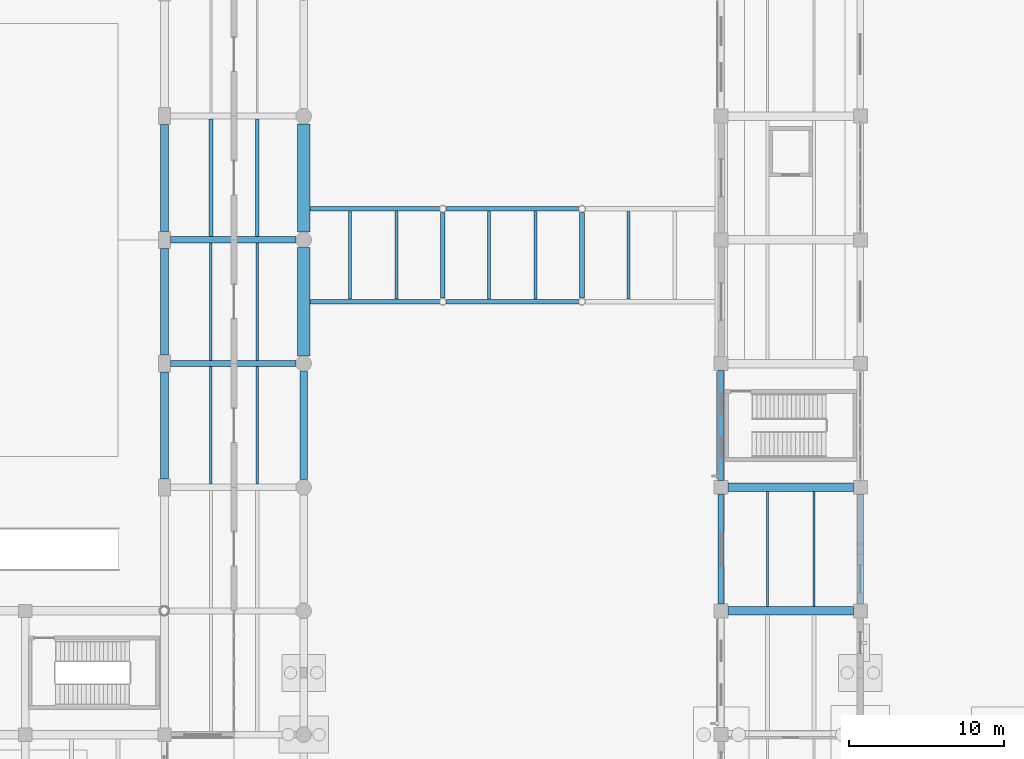
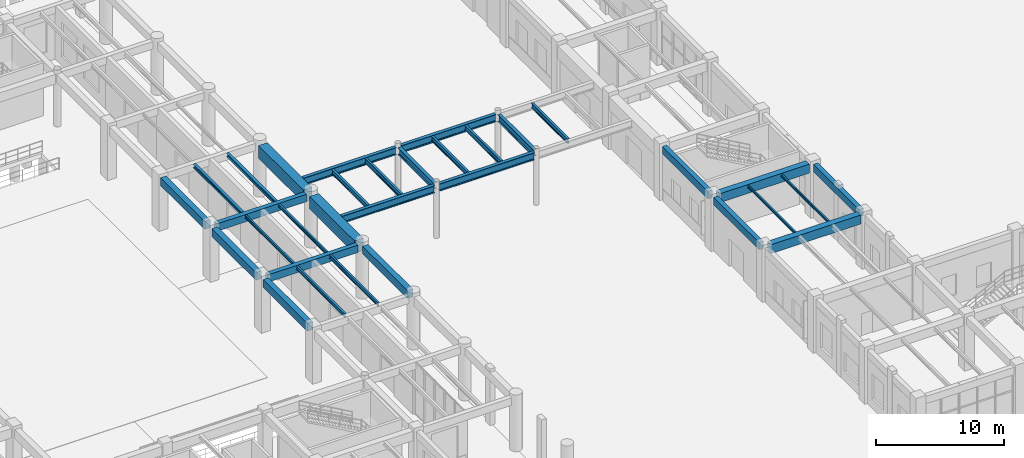
# One storey, part 26 of 121: 32 beams.
"""IFC4 building model written with IfcOpenShell, lengths in metres."""

from ifc_helpers import new_model, si_unit, derived_unit, direction, frame, origin, origin_2d, place, context, subcontext, project, spatial, rectangle, i_section, extrude, material, material_profile, profile_set, type_object, element, save


model = new_model("IFC4")

# Units and contexts
model_context = context("Model", 3, precision=1e-05, world=origin(), true_north=direction((0.0, 1.0)))
body_context = subcontext(model_context, "Body", "Model", "MODEL_VIEW")
ifc_project = project(units=[si_unit("LENGTHUNIT", "METRE"), si_unit("AREAUNIT", "SQUARE_METRE"), si_unit("VOLUMEUNIT", "CUBIC_METRE"), si_unit("PLANEANGLEUNIT", "RADIAN"), si_unit("MASSUNIT", "GRAM", prefix="KILO"), derived_unit("THERMALTRANSMITTANCEUNIT", [(si_unit("MASSUNIT", "GRAM", prefix="KILO"), 1), (si_unit("TIMEUNIT", "SECOND"), -3), (si_unit("THERMODYNAMICTEMPERATUREUNIT", "KELVIN"), -1)])], contexts=[model_context])

# Site, building, storey
site_placement = place(None, origin())
site = spatial("IfcSite", under=ifc_project, at=site_placement, CompositionType="ELEMENT")
building_placement = place(site_placement, origin())
building = spatial("IfcBuilding", under=site, at=building_placement, Name="Zhenchuan Archway Interchange", CompositionType="ELEMENT")
storey_placement = place(building_placement, origin())
storey = spatial("IfcBuildingStorey", under=building, at=storey_placement, Name="L00", CompositionType="ELEMENT", Elevation=0.0)

# Beams
ifc_material_1 = material(Name="Concrete C40", Category="concrete")
ifc_material_profile_1 = material_profile(ifc_material_1, rectangle(XDim=0.5, YDim=0.75, at=origin_2d()), Name="RC 500x750")
ifc_profile_set_1 = profile_set([ifc_material_profile_1], Name="Concrete C40")
beam_type_1 = type_object("IfcBeamType", Name="BM_RC_500x750", PredefinedType="BEAM", material=ifc_profile_set_1)
for number, where, z_axis, x_axis, name in (
    (1, (63.0, 40.550048828125, 4.705078125), (0.0, 1.0, 0.0), (-1.0, 0.0, 0.0), "Beam 8:F-G (L00)"),
    (2, (63.0, 48.550048828125, 4.705078125), (0.0, 1.0, 0.0), (-1.0, 0.0, 0.0), "Beam 8:G-H (L00)"),
    (3, (63.0, 56.550048828125, 4.705078125), (0.0, 1.0, 0.0), (-1.0, 0.0, 0.0), "Beam 8:H-J (L00)"),
):
    element("IfcBeam", number, at=place(storey_placement, frame(where, z_axis=z_axis, x_axis=x_axis)), inside=storey, type_object=beam_type_1, Name=name, PredefinedType="BEAM", context=body_context, shape_type="SweptSolid", body=[
        extrude(rectangle(XDim=0.5, YDim=0.75, at=origin_2d()), origin(), (0.0, 0.0, 1.0), 6.89990234375),
    ])
beam_placement = place(storey_placement, frame((72.0, 40.5, 4.705078125), z_axis=(0.0, 1.0, 0.0), x_axis=(-1.0, 0.0, 0.0)))
element("IfcBeam", 4, at=beam_placement, inside=storey, type_object=beam_type_1, Name="Beam 9:F-G (L00)", PredefinedType="BEAM", context=body_context, shape_type="SweptSolid", body=[
    extrude(rectangle(XDim=0.5, YDim=0.75, at=origin_2d()), origin(), (0.0, 0.0, 1.0), 7.0),
])
ifc_material_profile_2 = material_profile(ifc_material_1, rectangle(XDim=0.550048828125, YDim=0.85009765625, at=origin_2d()), Name="RC 550x850")
ifc_profile_set_2 = profile_set([ifc_material_profile_2], Name="Concrete C40")
beam_type_2 = type_object("IfcBeamType", Name="BM_RC_550x850", PredefinedType="BEAM", material=ifc_profile_set_2)
for number, where, z_axis, x_axis, name in (
    (5, (99.449951171875, 32.0, 4.655029296875), (1.0, 0.0, 0.0), (0.0, 1.0, 0.0), "Beam E:12-13 (L00)"),
    (6, (99.449951171875, 40.0, 4.655029296875), (1.0, 0.0, 0.0), (0.0, 1.0, 0.0), "Beam F:12-13 (L00)"),
):
    element("IfcBeam", number, at=place(storey_placement, frame(where, z_axis=z_axis, x_axis=x_axis)), inside=storey, type_object=beam_type_2, Name=name, PredefinedType="BEAM", context=body_context, shape_type="SweptSolid", body=[
        extrude(rectangle(XDim=0.550048828125, YDim=0.85009765625, at=origin_2d()), origin(), (0.0, 0.0, 1.0), 8.10009765625),
    ])
ifc_material_2 = material(Name="Concrete C50", Category="concrete")
ifc_material_profile_3 = material_profile(ifc_material_2, rectangle(XDim=0.800048828125, YDim=1.199951171875, at=origin_2d()), Name="RC 800x1200")
ifc_profile_set_3 = profile_set([ifc_material_profile_3], Name="Concrete C50")
beam_type_3 = type_object("IfcBeamType", Name="BM_RC_800x1200", PredefinedType="BEAM", material=ifc_profile_set_3)
for number, where, z_axis, x_axis, name in (
    (7, (72.0, 48.5, 4.419921875), (0.0, 1.0, 0.0), (-1.0, 0.0, 0.0), "Beam 9:G-H (L00)"),
    (8, (72.0, 56.5, 4.419921875), (0.0, 1.0, 0.0), (-1.0, 0.0, 0.0), "Beam 9:H-J (L00)"),
):
    element("IfcBeam", number, at=place(storey_placement, frame(where, z_axis=z_axis, x_axis=x_axis)), inside=storey, type_object=beam_type_3, Name=name, PredefinedType="BEAM", context=body_context, shape_type="SweptSolid", body=[
        extrude(rectangle(XDim=0.800048828125, YDim=1.199951171875, at=origin_2d()), origin(), (0.0, 0.0, 1.0), 7.0),
    ])
ifc_material_3 = material(Name="Steel Q355", Category="steel")
ifc_material_profile_4 = material_profile(ifc_material_3, i_section(OverallWidth=0.199951171875, OverallDepth=0.449951171875, WebThickness=0.009033203125, FlangeThickness=0.013916015625, FilletRadius=0.01806640625, at=origin_2d()), Name="HN 450x200")
ifc_profile_set_4 = profile_set([ifc_material_profile_4], Name="Steel Q355")
beam_type_4 = type_object("IfcBeamType", Name="BM_STL_HN450", PredefinedType="BEAM", material=ifc_profile_set_4)
for number, where, z_axis, x_axis, name in (
    (9, (75.0, 52.159912109375, 4.824951171875), (0.0, 1.0, 0.0), (-1.0, 0.0, 0.0), "Footbridge transverse deck beam W-1"),
    (10, (78.0, 52.159912109375, 4.824951171875), (0.0, 1.0, 0.0), (-1.0, 0.0, 0.0), "Footbridge transverse deck beam W-2"),
    (11, (84.0, 52.159912109375, 4.824951171875), (0.0, 1.0, 0.0), (-1.0, 0.0, 0.0), "Footbridge transverse deck beam M-1"),
    (12, (87.0, 52.159912109375, 4.824951171875), (0.0, 1.0, 0.0), (-1.0, 0.0, 0.0), "Footbridge transverse deck beam M-2"),
    (13, (93.0, 52.159912109375, 4.824951171875), (0.0, 1.0, 0.0), (-1.0, 0.0, 0.0), "Footbridge transverse deck beam E-1"),
):
    element("IfcBeam", number, at=place(storey_placement, frame(where, z_axis=z_axis, x_axis=x_axis)), inside=storey, type_object=beam_type_4, Name=name, PredefinedType="BEAM", context=body_context, shape_type="SweptSolid", body=[
        extrude(i_section(OverallWidth=0.199951171875, OverallDepth=0.449951171875, WebThickness=0.009033203125, FlangeThickness=0.013916015625, FilletRadius=0.01806640625, at=origin_2d()), origin(), (0.0, 0.0, 1.0), 5.68017578125),
    ])
ifc_material_4 = material(Name="Steel Q390", Category="steel")
ifc_material_profile_5 = material_profile(ifc_material_4, i_section(OverallWidth=0.300048828125, OverallDepth=0.64990234375, WebThickness=0.012939453125, FlangeThickness=0.02392578125, FilletRadius=0.02392578125, at=origin_2d()), Name="HN 650x300")
ifc_profile_set_5 = profile_set([ifc_material_profile_5], Name="Steel Q390")
beam_type_5 = type_object("IfcBeamType", Name="BM_STL_HN650W", PredefinedType="BEAM", material=ifc_profile_set_5)
for number, where, z_axis, x_axis, name in (
    (14, (81.0, 52.22998046875, 4.72509765625), (0.0, 1.0, 0.0), (-1.0, 0.0, 0.0), "Footbridge pier cap beam M1 (L00)"),
    (15, (90.0, 52.22998046875, 4.72509765625), (0.0, 1.0, 0.0), (-1.0, 0.0, 0.0), "Footbridge pier cap beam M2 (L00)"),
):
    element("IfcBeam", number, at=place(storey_placement, frame(where, z_axis=z_axis, x_axis=x_axis)), inside=storey, type_object=beam_type_5, Name=name, PredefinedType="BEAM", context=body_context, shape_type="SweptSolid", body=[
        extrude(i_section(OverallWidth=0.300048828125, OverallDepth=0.64990234375, WebThickness=0.012939453125, FlangeThickness=0.02392578125, FilletRadius=0.02392578125, at=origin_2d()), origin(), (0.0, 0.0, 1.0), 5.5400390625),
    ])
ifc_material_profile_6 = material_profile(ifc_material_4, i_section(OverallWidth=0.300048828125, OverallDepth=0.699951171875, WebThickness=0.012939453125, FlangeThickness=0.02392578125, FilletRadius=0.02392578125, at=origin_2d()), Name="HN 700x300")
ifc_profile_set_6 = profile_set([ifc_material_profile_6], Name="Steel Q390")
beam_type_6 = type_object("IfcBeamType", Name="BM_STL_HN700", PredefinedType="BEAM", material=ifc_profile_set_6)
for number, where, z_axis, x_axis, name in (
    (16, (72.39990234375, 52.0, 4.699951171875), (1.0, 0.0, 0.0), (0.0, 1.0, 0.0), "Footbridge primary deck girder W-S (L00)"),
    (17, (72.39990234375, 58.0, 4.699951171875), (1.0, 0.0, 0.0), (0.0, 1.0, 0.0), "Footbridge primary deck girder W-N (L00)"),
):
    element("IfcBeam", number, at=place(storey_placement, frame(where, z_axis=z_axis, x_axis=x_axis)), inside=storey, type_object=beam_type_6, Name=name, PredefinedType="BEAM", context=body_context, shape_type="SweptSolid", body=[
        extrude(i_section(OverallWidth=0.300048828125, OverallDepth=0.699951171875, WebThickness=0.012939453125, FlangeThickness=0.02392578125, FilletRadius=0.02392578125, at=origin_2d()), origin(), (0.0, 0.0, 1.0), 8.37158203125),
    ])
for number, where, z_axis, x_axis, name in (
    (18, (81.228515625, 52.0, 4.699951171875), (1.0, 0.0, 0.0), (0.0, 1.0, 0.0), "Footbridge primary deck girder M-S (L00)"),
    (19, (81.228515625, 58.0, 4.699951171875), (1.0, 0.0, 0.0), (0.0, 1.0, 0.0), "Footbridge primary deck girder M-N (L00)"),
):
    element("IfcBeam", number, at=place(storey_placement, frame(where, z_axis=z_axis, x_axis=x_axis)), inside=storey, type_object=beam_type_6, Name=name, PredefinedType="BEAM", context=body_context, shape_type="SweptSolid", body=[
        extrude(i_section(OverallWidth=0.300048828125, OverallDepth=0.699951171875, WebThickness=0.012939453125, FlangeThickness=0.02392578125, FilletRadius=0.02392578125, at=origin_2d()), origin(), (0.0, 0.0, 1.0), 8.54296875),
    ])
ifc_material_profile_7 = material_profile(ifc_material_3, i_section(OverallWidth=0.25, OverallDepth=0.340087890625, WebThickness=0.009033203125, FlangeThickness=0.013916015625, FilletRadius=0.01806640625, at=origin_2d()), Name="HM 340x250")
ifc_profile_set_7 = profile_set([ifc_material_profile_7], Name="Steel Q355")
beam_type_7 = type_object("IfcBeamType", Name="JST_STL_HM340", PredefinedType="JOIST", material=ifc_profile_set_7)
for number, where, z_axis, x_axis, name in (
    (20, (66.0, 56.199951171875, 4.909912109375), (0.0, 1.0, 0.0), (-1.0, 0.0, 0.0), "Secondary joist 8-9/H-J #1 (L00)"),
    (21, (69.0, 56.199951171875, 4.909912109375), (0.0, 1.0, 0.0), (-1.0, 0.0, 0.0), "Secondary joist 8-9/H-J #2 (L00)"),
):
    element("IfcBeam", number, at=place(storey_placement, frame(where, z_axis=z_axis, x_axis=x_axis)), inside=storey, type_object=beam_type_7, Name=name, PredefinedType="JOIST", context=body_context, shape_type="SweptSolid", body=[
        extrude(i_section(OverallWidth=0.25, OverallDepth=0.340087890625, WebThickness=0.009033203125, FlangeThickness=0.013916015625, FilletRadius=0.01806640625, at=origin_2d()), origin(), (0.0, 0.0, 1.0), 7.60009765625),
    ])
ifc_material_profile_8 = material_profile(ifc_material_3, i_section(OverallWidth=0.125, OverallDepth=0.25, WebThickness=0.006103515625, FlangeThickness=0.009033203125, FilletRadius=0.011962890625, at=origin_2d()), Name="HN 250x125")
ifc_profile_set_8 = profile_set([ifc_material_profile_8], Name="Steel Q355")
beam_type_8 = type_object("IfcBeamType", Name="JST_STL_HN250", PredefinedType="JOIST", material=ifc_profile_set_8)
for number, where, z_axis, x_axis, name in (
    (22, (102.0, 32.27490234375, 4.955078125), (0.0, 1.0, 0.0), (-1.0, 0.0, 0.0), "Secondary joist 12-13/E-F #1 (L00)"),
    (23, (105.0, 32.27490234375, 4.955078125), (0.0, 1.0, 0.0), (-1.0, 0.0, 0.0), "Secondary joist 12-13/E-F #2 (L00)"),
):
    element("IfcBeam", number, at=place(storey_placement, frame(where, z_axis=z_axis, x_axis=x_axis)), inside=storey, type_object=beam_type_8, Name=name, PredefinedType="JOIST", context=body_context, shape_type="SweptSolid", body=[
        extrude(i_section(OverallWidth=0.125, OverallDepth=0.25, WebThickness=0.006103515625, FlangeThickness=0.009033203125, FilletRadius=0.011962890625, at=origin_2d()), origin(), (0.0, 0.0, 1.0), 7.4501953125),
    ])
ifc_material_profile_9 = material_profile(ifc_material_3, i_section(OverallWidth=0.14990234375, OverallDepth=0.300048828125, WebThickness=0.006591796875, FlangeThickness=0.009033203125, FilletRadius=0.012939453125, at=origin_2d()), Name="HN 300x150")
ifc_profile_set_9 = profile_set([ifc_material_profile_9], Name="Steel Q355")
beam_type_9 = type_object("IfcBeamType", Name="JST_STL_HN300", PredefinedType="JOIST", material=ifc_profile_set_9)
for number, where, z_axis, x_axis, name in (
    (24, (66.0, 48.199951171875, 4.929931640625), (0.0, 1.0, 0.0), (-1.0, 0.0, 0.0), "Secondary joist 8-9/G-H #1 (L00)"),
    (25, (69.0, 48.199951171875, 4.929931640625), (0.0, 1.0, 0.0), (-1.0, 0.0, 0.0), "Secondary joist 8-9/G-H #2 (L00)"),
):
    element("IfcBeam", number, at=place(storey_placement, frame(where, z_axis=z_axis, x_axis=x_axis)), inside=storey, type_object=beam_type_9, Name=name, PredefinedType="JOIST", context=body_context, shape_type="SweptSolid", body=[
        extrude(i_section(OverallWidth=0.14990234375, OverallDepth=0.300048828125, WebThickness=0.006591796875, FlangeThickness=0.009033203125, FilletRadius=0.012939453125, at=origin_2d()), origin(), (0.0, 0.0, 1.0), 7.60009765625),
    ])
ifc_material_profile_10 = material_profile(ifc_material_3, i_section(OverallWidth=0.175048828125, OverallDepth=0.35009765625, WebThickness=0.007080078125, FlangeThickness=0.010986328125, FilletRadius=0.013916015625, at=origin_2d()), Name="HN 350x175")
ifc_profile_set_10 = profile_set([ifc_material_profile_10], Name="Steel Q355")
beam_type_10 = type_object("IfcBeamType", Name="JST_STL_HN350", PredefinedType="JOIST", material=ifc_profile_set_10)
for number, where, z_axis, x_axis, name in (
    (26, (66.0, 40.199951171875, 4.905029296875), (0.0, 1.0, 0.0), (-1.0, 0.0, 0.0), "Secondary joist 8-9/F-G #1 (L00)"),
    (27, (69.0, 40.199951171875, 4.905029296875), (0.0, 1.0, 0.0), (-1.0, 0.0, 0.0), "Secondary joist 8-9/F-G #2 (L00)"),
):
    element("IfcBeam", number, at=place(storey_placement, frame(where, z_axis=z_axis, x_axis=x_axis)), inside=storey, type_object=beam_type_10, Name=name, PredefinedType="JOIST", context=body_context, shape_type="SweptSolid", body=[
        extrude(i_section(OverallWidth=0.175048828125, OverallDepth=0.35009765625, WebThickness=0.007080078125, FlangeThickness=0.010986328125, FilletRadius=0.013916015625, at=origin_2d()), origin(), (0.0, 0.0, 1.0), 7.60009765625),
    ])
ifc_material_profile_11 = material_profile(ifc_material_1, rectangle(XDim=0.39990234375, YDim=0.699951171875, at=origin_2d()), Name="RC 400x700")
ifc_profile_set_11 = profile_set([ifc_material_profile_11], Name="Concrete C40")
beam_type_11 = type_object("IfcBeamType", Name="SP_RC_400x700", PredefinedType="SPANDREL", material=ifc_profile_set_11)
for number, where, z_axis, x_axis, name in (
    (28, (63.39990234375, 48.0, 4.72998046875), (1.0, 0.0, 0.0), (0.0, 1.0, 0.0), "Beam G:8-9 (L00)"),
    (29, (63.39990234375, 56.0, 4.72998046875), (1.0, 0.0, 0.0), (0.0, 1.0, 0.0), "Beam H:8-9 (L00)"),
):
    element("IfcBeam", number, at=place(storey_placement, frame(where, z_axis=z_axis, x_axis=x_axis)), inside=storey, type_object=beam_type_11, Name=name, PredefinedType="SPANDREL", context=body_context, shape_type="SweptSolid", body=[
        extrude(rectangle(XDim=0.39990234375, YDim=0.699951171875, at=origin_2d()), origin(), (0.0, 0.0, 1.0), 8.10009765625),
    ])
for number, where, z_axis, x_axis, name in (
    (30, (99.0, 32.449951171875, 4.72998046875), (0.0, 1.0, 0.0), (-1.0, 0.0, 0.0), "Beam 12:E-F (L00)"),
    (31, (99.0, 40.449951171875, 4.72998046875), (0.0, 1.0, 0.0), (-1.0, 0.0, 0.0), "Beam 12:F-G (L00)"),
    (32, (108.0, 32.449951171875, 4.72998046875), (0.0, 1.0, 0.0), (-1.0, 0.0, 0.0), "Beam 13:E-F (L00)"),
):
    element("IfcBeam", number, at=place(storey_placement, frame(where, z_axis=z_axis, x_axis=x_axis)), inside=storey, type_object=beam_type_11, Name=name, PredefinedType="SPANDREL", context=body_context, shape_type="SweptSolid", body=[
        extrude(rectangle(XDim=0.39990234375, YDim=0.699951171875, at=origin_2d()), origin(), (0.0, 0.0, 1.0), 7.10009765625),
    ])

save(model, "model.ifc")
